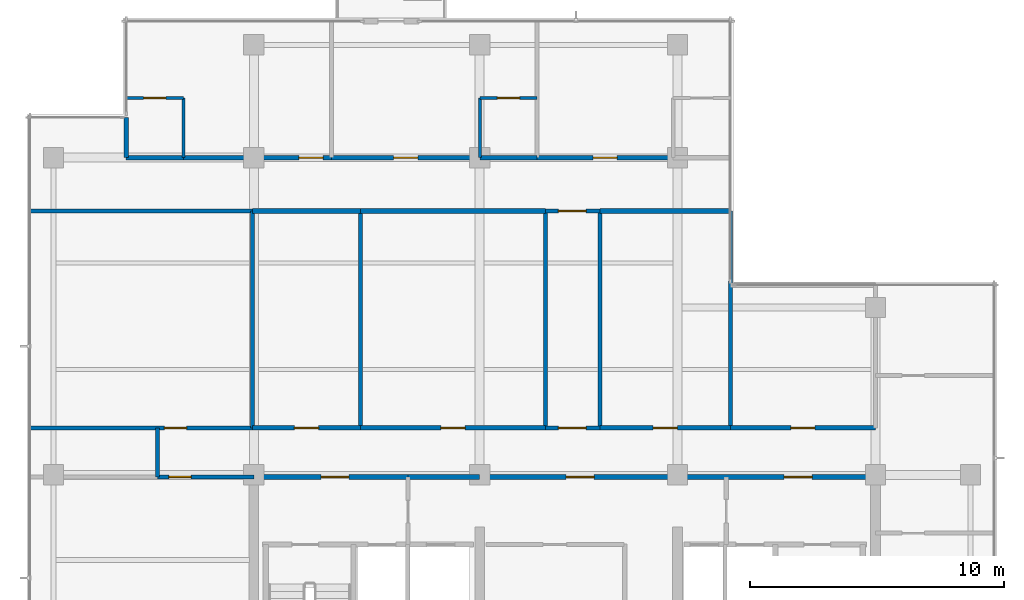
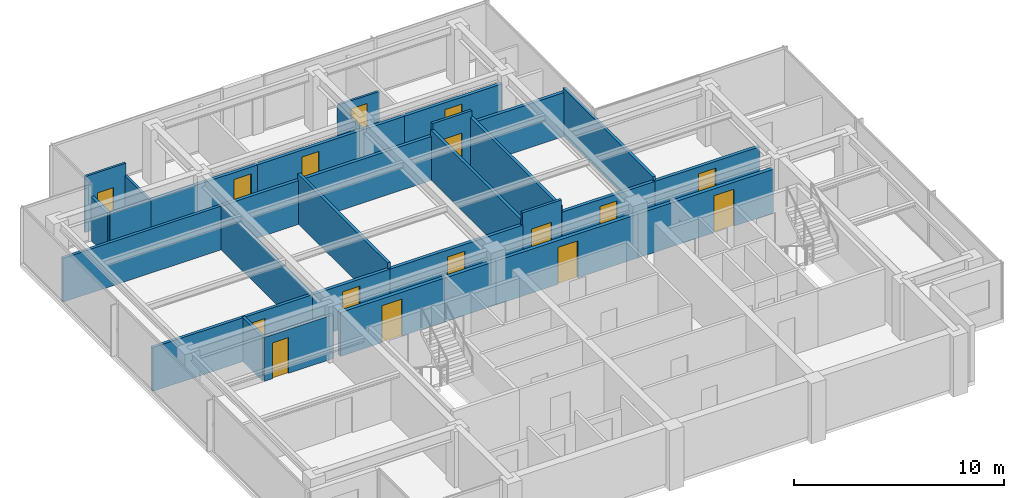
# One storey, part 7 of 11: 32 walls, 16 doors, 16 openings.
"""IFC4 building model written with IfcOpenShell, lengths in metres."""

from ifc_helpers import new_model, si_unit, direction, frame, frame_2d, origin, place, context, subcontext, project, spatial, rectangle, extrude, material, layer, layer_set, type_object, element, fill, save


model = new_model("IFC4")

# Units and contexts
model_context = context("Model", 3, precision=1e-05, world=origin(), true_north=direction((0.0, 1.0)))
body_context = subcontext(model_context, "Body", "Model", "MODEL_VIEW")
ifc_project = project(units=[si_unit("LENGTHUNIT", "METRE"), si_unit("AREAUNIT", "SQUARE_METRE"), si_unit("VOLUMEUNIT", "CUBIC_METRE"), si_unit("PLANEANGLEUNIT", "RADIAN"), si_unit("MASSUNIT", "GRAM", prefix="KILO")], contexts=[model_context])

# Site, building, storey
site_placement = place(None, origin())
site = spatial("IfcSite", under=ifc_project, at=site_placement, CompositionType="ELEMENT")
building_placement = place(site_placement, origin())
building = spatial("IfcBuilding", under=site, at=building_placement, Name="Qalmaran Belvedere Hotel", CompositionType="ELEMENT")
storey_placement = place(building_placement, frame((0.0, 0.0, 245.89990234375)))
storey = spatial("IfcBuildingStorey", under=building, at=storey_placement, Name="L63", CompositionType="ELEMENT", Elevation=245.89990234375)

# Wall, opening, door
ifc_material_1 = material(Name="Moisture-Resistant Gypsum")
ifc_layer_1 = layer(ifc_material_1, 0.1201171875, Name="Moisture-Resistant Gypsum")
ifc_layer_set_1 = layer_set([ifc_layer_1], Name="Moisture-Resistant Gypsum")
wall_type_1 = type_object("IfcWallType", Name="WL-INT-120-BATH", PredefinedType="PARTITIONING", material=ifc_layer_set_1)
wall_1_placement = place(storey_placement, frame((15.27001953125, 35.35009765625, 0.0), z_axis=(0.0, 0.0, 1.0), x_axis=(1.0, 0.0, 0.0)))
wall_1 = element("IfcWall", 1, at=wall_1_placement, inside=storey, type_object=wall_type_1, Name="L63 Partition WL-L63-NBN00", PredefinedType="PARTITIONING", context=body_context, shape_type="SweptSolid", body=[
    extrude(rectangle(XDim=2.25, YDim=0.1201171875, at=frame_2d((1.125, 0.0))), origin(), (0.0, 0.0, 1.0), 3.260009765625),
])
opening_1_placement = place(wall_1_placement, frame((1.56494140625, 0.0, 0.0), z_axis=(0.0, 0.0, 1.0), x_axis=(-1.0, 0.0, 0.0)))
opening_1 = element("IfcOpeningElement", 2, at=opening_1_placement, cuts=wall_1, Name="Opening D-BATH", PredefinedType="OPENING", context=body_context, shape_type="SweptSolid", body=[
    extrude(rectangle(XDim=0.8798828125, YDim=2.080078125, at=frame_2d((0.43994140625, 1.0400390625))), frame((0.0, 0.070068359375, 0.0), z_axis=(0.0, -1.0, 0.0), x_axis=(1.0, 0.0, 0.0)), (0.0, 0.0, 1.0), 0.14013671875),
])
ifc_material_2 = material(Name="Engineered Oak Veneer")
door_type_1 = type_object("IfcDoorType", Name="DR-INT-BATH-880X2080", OperationType="NOTDEFINED", PredefinedType="DOOR", material=ifc_material_2)
door_1_placement = place(opening_1_placement, origin())
door_1 = element("IfcDoor", 3, at=door_1_placement, inside=storey, type_object=door_type_1, Name="L63 Ensuite Bathroom Door N01", OperationType="SINGLE_SWING_RIGHT", OverallHeight=2.080078125, OverallWidth=0.8798828125, PredefinedType="DOOR", context=body_context, shape_type="SweptSolid", body=[
    extrude(rectangle(XDim=0.8798828125, YDim=2.080078125, at=frame_2d((0.43994140625, 1.0400390625))), frame((0.0, 0.02490234375, 0.0), z_axis=(0.0, -1.0, 0.0), x_axis=(1.0, 0.0, 0.0)), (0.0, 0.0, 1.0), 0.050048828125),
])
fill(opening_1, door_1)

# Wall
wall_2_placement = place(storey_placement, frame((17.52001953125, 33.0, 0.0), z_axis=(0.0, 0.0, 1.0), x_axis=(0.0, 1.0, 0.0)))
element("IfcWall", 4, at=wall_2_placement, inside=storey, type_object=wall_type_1, Name="L63 Partition WL-L63-NBS00", PredefinedType="PARTITIONING", context=body_context, shape_type="SweptSolid", body=[
    extrude(rectangle(XDim=2.35009765625, YDim=0.1201171875, at=frame_2d((1.175048828125, 0.0))), origin(), (0.0, 0.0, 1.0), 2.550048828125),
])

# Wall, opening, door
wall_3_placement = place(storey_placement, frame((29.210693359375, 35.35009765625, 0.0), z_axis=(0.0, 0.0, 1.0), x_axis=(1.0, 0.0, 0.0)))
wall_3 = element("IfcWall", 5, at=wall_3_placement, inside=storey, type_object=wall_type_1, Name="L63 Partition WL-L63-NBN01", PredefinedType="PARTITIONING", context=body_context, shape_type="SweptSolid", body=[
    extrude(rectangle(XDim=2.25, YDim=0.1201171875, at=frame_2d((1.125, 0.0))), origin(), (0.0, 0.0, 1.0), 2.550048828125),
])
opening_2_placement = place(wall_3_placement, frame((1.56494140625, 0.0, 0.0), z_axis=(0.0, 0.0, 1.0), x_axis=(-1.0, 0.0, 0.0)))
opening_2 = element("IfcOpeningElement", 6, at=opening_2_placement, cuts=wall_3, Name="Opening D-BATH", PredefinedType="OPENING", context=body_context, shape_type="SweptSolid", body=[
    extrude(rectangle(XDim=0.8798828125, YDim=2.080078125, at=frame_2d((0.43994140625, 1.0400390625))), frame((0.0, 0.070068359375, 0.0), z_axis=(0.0, -1.0, 0.0), x_axis=(1.0, 0.0, 0.0)), (0.0, 0.0, 1.0), 0.14013671875),
])
door_2_placement = place(opening_2_placement, origin())
door_2 = element("IfcDoor", 7, at=door_2_placement, inside=storey, type_object=door_type_1, Name="L63 Ensuite Bathroom Door N02", OperationType="SINGLE_SWING_RIGHT", OverallHeight=2.080078125, OverallWidth=0.8798828125, PredefinedType="DOOR", context=body_context, shape_type="SweptSolid", body=[
    extrude(rectangle(XDim=0.8798828125, YDim=2.080078125, at=frame_2d((0.43994140625, 1.0400390625))), frame((0.0, 0.02490234375, 0.0), z_axis=(0.0, -1.0, 0.0), x_axis=(1.0, 0.0, 0.0)), (0.0, 0.0, 1.0), 0.050048828125),
])
fill(opening_2, door_2)

# Wall
wall_4_placement = place(storey_placement, frame((29.210693359375, 33.0, 0.0), z_axis=(0.0, 0.0, 1.0), x_axis=(0.0, 1.0, 0.0)))
element("IfcWall", 8, at=wall_4_placement, inside=storey, type_object=wall_type_1, Name="L63 Partition WL-L63-NBS01", PredefinedType="PARTITIONING", context=body_context, shape_type="SweptSolid", body=[
    extrude(rectangle(XDim=2.35009765625, YDim=0.1201171875, at=frame_2d((1.175048828125, 0.0))), origin(), (0.0, 0.0, 1.0), 2.550048828125),
])

# Wall, opening, door
ifc_material_3 = material(Name="Gypsum Stud Partition")
ifc_layer_2 = layer(ifc_material_3, 0.14990234375, Name="Gypsum Stud Partition")
ifc_layer_set_2 = layer_set([ifc_layer_2], Name="Gypsum Stud Partition")
wall_type_2 = type_object("IfcWallType", Name="WL-INT-150-EI60", PredefinedType="PARTITIONING", material=ifc_layer_set_2)
wall_5_placement = place(storey_placement, frame((31.800048828125, 22.35009765625, 0.0), z_axis=(0.0, 0.0, 1.0), x_axis=(1.0, 0.0, 0.0)))
wall_5 = element("IfcWall", 9, at=wall_5_placement, inside=storey, type_object=wall_type_2, Name="L63 Partition WL-L63-XCLS", PredefinedType="PARTITIONING", context=body_context, shape_type="SweptSolid", body=[
    extrude(rectangle(XDim=2.14990234375, YDim=0.14990234375, at=frame_2d((1.074951171875, 0.0))), origin(), (0.0, 0.0, 1.0), 3.260009765625),
])
opening_3_placement = place(wall_5_placement, frame((0.5, 0.0, 0.0)))
opening_3 = element("IfcOpeningElement", 10, at=opening_3_placement, cuts=wall_5, Name="Opening FD90", PredefinedType="OPENING", context=body_context, shape_type="SweptSolid", body=[
    extrude(rectangle(XDim=1.10009765625, YDim=2.14990234375, at=frame_2d((0.550048828125, 1.074951171875))), frame((0.0, 0.0849609375, 0.0), z_axis=(0.0, -1.0, 0.0), x_axis=(1.0, 0.0, 0.0)), (0.0, 0.0, 1.0), 0.169921875),
])
ifc_material_4 = material(Name="Steel S355JR", Category="steel")
door_type_2 = type_object("IfcDoorType", Name="DR-FD90-1100X2150", OperationType="NOTDEFINED", PredefinedType="DOOR", material=ifc_material_4)
door_3_placement = place(opening_3_placement, origin())
door_3 = element("IfcDoor", 11, at=door_3_placement, inside=storey, type_object=door_type_2, Name="L63 Sky Link South Door", OperationType="SINGLE_SWING_LEFT", OverallHeight=2.14990234375, OverallWidth=1.10009765625, PredefinedType="DOOR", context=body_context, shape_type="SweptSolid", body=[
    extrude(rectangle(XDim=1.10009765625, YDim=2.14990234375, at=frame_2d((0.550048828125, 1.074951171875))), frame((0.0, 0.02490234375, 0.0), z_axis=(0.0, -1.0, 0.0), x_axis=(1.0, 0.0, 0.0)), (0.0, 0.0, 1.0), 0.050048828125),
])
fill(opening_3, door_3)

wall_6_placement = place(storey_placement, frame((31.800048828125, 30.89990234375, 0.0), z_axis=(0.0, 0.0, 1.0), x_axis=(1.0, 0.0, 0.0)))
wall_6 = element("IfcWall", 12, at=wall_6_placement, inside=storey, type_object=wall_type_2, Name="L63 Partition WL-L63-XCLN", PredefinedType="PARTITIONING", context=body_context, shape_type="SweptSolid", body=[
    extrude(rectangle(XDim=2.14990234375, YDim=0.14990234375, at=frame_2d((1.074951171875, 0.0))), origin(), (0.0, 0.0, 1.0), 3.260009765625),
])
opening_4_placement = place(wall_6_placement, frame((0.5, 0.0, 0.0)))
opening_4 = element("IfcOpeningElement", 13, at=opening_4_placement, cuts=wall_6, Name="Opening FD90", PredefinedType="OPENING", context=body_context, shape_type="SweptSolid", body=[
    extrude(rectangle(XDim=1.10009765625, YDim=2.14990234375, at=frame_2d((0.550048828125, 1.074951171875))), frame((0.0, 0.0849609375, 0.0), z_axis=(0.0, -1.0, 0.0), x_axis=(1.0, 0.0, 0.0)), (0.0, 0.0, 1.0), 0.169921875),
])
door_4_placement = place(opening_4_placement, origin())
door_4 = element("IfcDoor", 14, at=door_4_placement, inside=storey, type_object=door_type_2, Name="L63 Sky Link North Door", OperationType="SINGLE_SWING_RIGHT", OverallHeight=2.14990234375, OverallWidth=1.10009765625, PredefinedType="DOOR", context=body_context, shape_type="SweptSolid", body=[
    extrude(rectangle(XDim=1.10009765625, YDim=2.14990234375, at=frame_2d((0.550048828125, 1.074951171875))), frame((0.0, 0.02490234375, 0.0), z_axis=(0.0, -1.0, 0.0), x_axis=(1.0, 0.0, 0.0)), (0.0, 0.0, 1.0), 0.050048828125),
])
fill(opening_4, door_4)

ifc_layer_3 = layer(ifc_material_3, 0.159912109375, Name="Gypsum Stud Partition")
ifc_layer_set_3 = layer_set([ifc_layer_3], Name="Gypsum Stud Partition")
wall_type_3 = type_object("IfcWallType", Name="WL-INT-160-EI60", PredefinedType="PARTITIONING", material=ifc_layer_set_3)
wall_7_placement = place(storey_placement, frame((16.5, 20.419921875, 0.0), z_axis=(0.0, 0.0, 1.0), x_axis=(1.0, 0.0, 0.0)))
wall_7 = element("IfcWall", 15, at=wall_7_placement, inside=storey, type_object=wall_type_3, Name="L63 Partition WL-L63-C4WS2", PredefinedType="PARTITIONING", context=body_context, shape_type="SweptSolid", body=[
    extrude(rectangle(XDim=3.800048828125, YDim=0.159912109375, at=frame_2d((1.89990234375, 0.0))), origin(), (0.0, 0.0, 1.0), 2.550048828125),
])
opening_5_placement = place(wall_7_placement, frame((1.329833984375, 0.0, 0.0), z_axis=(0.0, 0.0, 1.0), x_axis=(-1.0, 0.0, 0.0)))
opening_5 = element("IfcOpeningElement", 16, at=opening_5_placement, cuts=wall_7, Name="Opening FD60B", PredefinedType="OPENING", context=body_context, shape_type="SweptSolid", body=[
    extrude(rectangle(XDim=0.8798828125, YDim=2.080078125, at=frame_2d((0.43994140625, 1.0400390625))), frame((0.0, 0.08984375, 0.0), z_axis=(0.0, -1.0, 0.0), x_axis=(1.0, 0.0, 0.0)), (0.0, 0.0, 1.0), 0.179931640625),
])
door_type_3 = type_object("IfcDoorType", Name="DR-FD60B-880X2080", OperationType="NOTDEFINED", PredefinedType="DOOR", material=ifc_material_4)
door_5_placement = place(opening_5_placement, origin())
door_5 = element("IfcDoor", 17, at=door_5_placement, inside=storey, type_object=door_type_3, Name="L63 West Salon Door", OperationType="SINGLE_SWING_RIGHT", OverallHeight=2.080078125, OverallWidth=0.8798828125, PredefinedType="DOOR", context=body_context, shape_type="SweptSolid", body=[
    extrude(rectangle(XDim=0.8798828125, YDim=2.080078125, at=frame_2d((0.43994140625, 1.0400390625))), frame((0.0, 0.02490234375, 0.0), z_axis=(0.0, -1.0, 0.0), x_axis=(1.0, 0.0, 0.0)), (0.0, 0.0, 1.0), 0.050048828125),
])
fill(opening_5, door_5)

# Wall
wall_8_placement = place(storey_placement, frame((16.5, 20.419921875, 0.0), z_axis=(0.0, 0.0, 1.0), x_axis=(0.0, 1.0, 0.0)))
element("IfcWall", 18, at=wall_8_placement, inside=storey, type_object=wall_type_3, Name="L63 Partition WL-L63-C4WW", PredefinedType="PARTITIONING", context=body_context, shape_type="SweptSolid", body=[
    extrude(rectangle(XDim=1.93017578125, YDim=0.159912109375, at=frame_2d((0.965087890625, 0.0))), origin(), (0.0, 0.0, 1.0), 2.550048828125),
])

# Wall, opening, door
wall_9_placement = place(storey_placement, frame((11.469970703125, 22.35009765625, 0.0), z_axis=(0.0, 0.0, 1.0), x_axis=(1.0, 0.0, 0.0)))
wall_9 = element("IfcWall", 19, at=wall_9_placement, inside=storey, type_object=wall_type_3, Name="L63 Partition WL-L63-C4WN0", PredefinedType="PARTITIONING", context=body_context, shape_type="SweptSolid", body=[
    extrude(rectangle(XDim=8.780029296875, YDim=0.159912109375, at=frame_2d((4.39013671875, 0.0))), origin(), (0.0, 0.0, 1.0), 2.550048828125),
])
opening_6_placement = place(wall_9_placement, frame((5.300048828125, 0.0, 0.0)))
opening_6 = element("IfcOpeningElement", 20, at=opening_6_placement, cuts=wall_9, Name="Opening FD60B", PredefinedType="OPENING", context=body_context, shape_type="SweptSolid", body=[
    extrude(rectangle(XDim=0.8798828125, YDim=2.080078125, at=frame_2d((0.43994140625, 1.0400390625))), frame((0.0, 0.08984375, 0.0), z_axis=(0.0, -1.0, 0.0), x_axis=(1.0, 0.0, 0.0)), (0.0, 0.0, 1.0), 0.179931640625),
])
door_6_placement = place(opening_6_placement, origin())
door_6 = element("IfcDoor", 21, at=door_6_placement, inside=storey, type_object=door_type_3, Name="L63 NW Salon Door", OperationType="SINGLE_SWING_LEFT", OverallHeight=2.080078125, OverallWidth=0.8798828125, PredefinedType="DOOR", context=body_context, shape_type="SweptSolid", body=[
    extrude(rectangle(XDim=0.8798828125, YDim=2.080078125, at=frame_2d((0.43994140625, 1.0400390625))), frame((0.0, 0.02490234375, 0.0), z_axis=(0.0, -1.0, 0.0), x_axis=(1.0, 0.0, 0.0)), (0.0, 0.0, 1.0), 0.050048828125),
])
fill(opening_6, door_6)

# Walls
wall_10_placement = place(storey_placement, frame((11.469970703125, 30.89990234375, 0.0), z_axis=(0.0, 0.0, 1.0), x_axis=(1.0, 0.0, 0.0)))
element("IfcWall", 22, at=wall_10_placement, inside=storey, type_object=wall_type_3, Name="L63 Partition WL-L63-C4WN1", PredefinedType="PARTITIONING", context=body_context, shape_type="SweptSolid", body=[
    extrude(rectangle(XDim=8.780029296875, YDim=0.159912109375, at=frame_2d((4.39013671875, 0.0))), origin(), (0.0, 0.0, 1.0), 2.550048828125),
])
wall_11_placement = place(storey_placement, frame((20.25, 22.35009765625, 0.0), z_axis=(0.0, 0.0, 1.0), x_axis=(0.0, 1.0, 0.0)))
element("IfcWall", 23, at=wall_11_placement, inside=storey, type_object=wall_type_3, Name="L63 Partition WL-L63-C4MWVL", PredefinedType="PARTITIONING", context=body_context, shape_type="SweptSolid", body=[
    extrude(rectangle(XDim=8.5498046875, YDim=0.159912109375, at=frame_2d((4.27490234375, 0.0))), origin(), (0.0, 0.0, 1.0), 2.550048828125),
])
for number, where, z_axis, x_axis, name in (
    (24, (24.5, 22.35009765625, 0.0), (0.0, 0.0, 1.0), (0.0, 1.0, 0.0), "L63 Partition WL-L63-C4MWVR1"),
    (25, (31.800048828125, 22.35009765625, 0.0), (0.0, 0.0, 1.0), (0.0, 1.0, 0.0), "L63 Partition WL-L63-C4MWVR2"),
    (26, (33.949951171875, 22.35009765625, 0.0), (0.0, 0.0, 1.0), (0.0, 1.0, 0.0), "L63 Partition WL-L63-C4MEVL"),
):
    element("IfcWall", number, at=place(storey_placement, frame(where, z_axis=z_axis, x_axis=x_axis)), inside=storey, type_object=wall_type_3, Name=name, PredefinedType="PARTITIONING", context=body_context, shape_type="SweptSolid", body=[
        extrude(rectangle(XDim=8.5498046875, YDim=0.159912109375, at=frame_2d((4.27490234375, 0.0))), origin(), (0.0, 0.0, 1.0), 2.88720703125),
    ])
wall_12_placement = place(storey_placement, frame((39.080078125, 22.35009765625, 0.0), z_axis=(0.0, 0.0, 1.0), x_axis=(0.0, 1.0, 0.0)))
element("IfcWall", 27, at=wall_12_placement, inside=storey, type_object=wall_type_3, Name="L63 Partition WL-L63-C4MEVR1", PredefinedType="PARTITIONING", context=body_context, shape_type="SweptSolid", body=[
    extrude(rectangle(XDim=8.5498046875, YDim=0.159912109375, at=frame_2d((4.27490234375, 0.0))), origin(), (0.0, 0.0, 1.0), 2.781982421875),
])
wall_13_placement = place(storey_placement, frame((15.27001953125, 33.0, 0.0), z_axis=(0.0, 0.0, 1.0), x_axis=(0.0, 1.0, 0.0)))
element("IfcWall", 28, at=wall_13_placement, inside=storey, type_object=wall_type_3, Name="L63 Partition WL-L63-NUL", PredefinedType="PARTITIONING", context=body_context, shape_type="SweptSolid", body=[
    extrude(rectangle(XDim=1.580078125, YDim=0.159912109375, at=frame_2d((0.7900390625, 0.0))), origin(), (0.0, 0.0, 1.0), 2.550048828125),
])

# Wall, opening, door
ifc_layer_4 = layer(ifc_material_3, 0.179931640625, Name="Gypsum Stud Partition")
ifc_layer_set_4 = layer_set([ifc_layer_4], Name="Gypsum Stud Partition")
wall_type_4 = type_object("IfcWallType", Name="WL-INT-180-EI60", PredefinedType="PARTITIONING", material=ifc_layer_set_4)
wall_14_placement = place(storey_placement, frame((20.25, 22.35009765625, 0.0), z_axis=(0.0, 0.0, 1.0), x_axis=(1.0, 0.0, 0.0)))
wall_14 = element("IfcWall", 29, at=wall_14_placement, inside=storey, type_object=wall_type_4, Name="L63 Partition WL-L63-C4MWD1", PredefinedType="PARTITIONING", context=body_context, shape_type="SweptSolid", body=[
    extrude(rectangle(XDim=4.25, YDim=0.179931640625, at=frame_2d((2.125, 0.0))), origin(), (0.0, 0.0, 1.0), 2.550048828125),
])
opening_7_placement = place(wall_14_placement, frame((1.64990234375, 0.0, 0.0)))
opening_7 = element("IfcOpeningElement", 30, at=opening_7_placement, cuts=wall_14, Name="Opening FD60", PredefinedType="OPENING", context=body_context, shape_type="SweptSolid", body=[
    extrude(rectangle(XDim=0.949951171875, YDim=2.14990234375, at=frame_2d((0.47509765625, 1.074951171875))), frame((0.0, 0.10009765625, 0.0), z_axis=(0.0, -1.0, 0.0), x_axis=(1.0, 0.0, 0.0)), (0.0, 0.0, 1.0), 0.199951171875),
])
door_type_4 = type_object("IfcDoorType", Name="DR-FD60-950X2150", OperationType="NOTDEFINED", PredefinedType="DOOR", material=ifc_material_2)
door_7_placement = place(opening_7_placement, origin())
door_7 = element("IfcDoor", 31, at=door_7_placement, inside=storey, type_object=door_type_4, Name="L63 Housekeeping and Linen Room Door", OperationType="SINGLE_SWING_RIGHT", OverallHeight=2.14990234375, OverallWidth=0.949951171875, PredefinedType="DOOR", context=body_context, shape_type="SweptSolid", body=[
    extrude(rectangle(XDim=0.949951171875, YDim=2.14990234375, at=frame_2d((0.47509765625, 1.074951171875))), frame((0.0, 0.02490234375, 0.0), z_axis=(0.0, -1.0, 0.0), x_axis=(1.0, 0.0, 0.0)), (0.0, 0.0, 1.0), 0.050048828125),
])
fill(opening_7, door_7)

# Wall
wall_15_placement = place(storey_placement, frame((20.25, 30.89990234375, 0.0), z_axis=(0.0, 0.0, 1.0), x_axis=(1.0, 0.0, 0.0)))
element("IfcWall", 32, at=wall_15_placement, inside=storey, type_object=wall_type_4, Name="L63 Partition WL-L63-C4MWO1", PredefinedType="PARTITIONING", context=body_context, shape_type="SweptSolid", body=[
    extrude(rectangle(XDim=4.25, YDim=0.179931640625, at=frame_2d((2.125, 0.0))), origin(), (0.0, 0.0, 1.0), 2.550048828125),
])

# Wall, opening, door
wall_16_placement = place(storey_placement, frame((24.5, 22.35009765625, 0.0), z_axis=(0.0, 0.0, 1.0), x_axis=(1.0, 0.0, 0.0)))
wall_16 = element("IfcWall", 33, at=wall_16_placement, inside=storey, type_object=wall_type_4, Name="L63 Partition WL-L63-C4MWD2", PredefinedType="PARTITIONING", context=body_context, shape_type="SweptSolid", body=[
    extrude(rectangle(XDim=7.300048828125, YDim=0.179931640625, at=frame_2d((3.64990234375, 0.0))), origin(), (0.0, 0.0, 1.0), 2.550048828125),
])
opening_8_placement = place(wall_16_placement, frame((3.175048828125, 0.0, 0.0)))
opening_8 = element("IfcOpeningElement", 34, at=opening_8_placement, cuts=wall_16, Name="Opening FD60", PredefinedType="OPENING", context=body_context, shape_type="SweptSolid", body=[
    extrude(rectangle(XDim=0.949951171875, YDim=2.14990234375, at=frame_2d((0.47509765625, 1.074951171875))), frame((0.0, 0.10009765625, 0.0), z_axis=(0.0, -1.0, 0.0), x_axis=(1.0, 0.0, 0.0)), (0.0, 0.0, 1.0), 0.199951171875),
])
door_8_placement = place(opening_8_placement, origin())
door_8 = element("IfcDoor", 35, at=door_8_placement, inside=storey, type_object=door_type_4, Name="L63 Yoga Spa Door", OperationType="SINGLE_SWING_LEFT", OverallHeight=2.14990234375, OverallWidth=0.949951171875, PredefinedType="DOOR", context=body_context, shape_type="SweptSolid", body=[
    extrude(rectangle(XDim=0.949951171875, YDim=2.14990234375, at=frame_2d((0.47509765625, 1.074951171875))), frame((0.0, 0.02490234375, 0.0), z_axis=(0.0, -1.0, 0.0), x_axis=(1.0, 0.0, 0.0)), (0.0, 0.0, 1.0), 0.050048828125),
])
fill(opening_8, door_8)

# Wall
wall_17_placement = place(storey_placement, frame((24.5, 30.89990234375, 0.0), z_axis=(0.0, 0.0, 1.0), x_axis=(1.0, 0.0, 0.0)))
element("IfcWall", 36, at=wall_17_placement, inside=storey, type_object=wall_type_4, Name="L63 Partition WL-L63-C4MWO2", PredefinedType="PARTITIONING", context=body_context, shape_type="SweptSolid", body=[
    extrude(rectangle(XDim=7.300048828125, YDim=0.179931640625, at=frame_2d((3.64990234375, 0.0))), origin(), (0.0, 0.0, 1.0), 2.550048828125),
])

# Wall, opening, door
wall_18_placement = place(storey_placement, frame((33.949951171875, 22.35009765625, 0.0), z_axis=(0.0, 0.0, 1.0), x_axis=(1.0, 0.0, 0.0)))
wall_18 = element("IfcWall", 37, at=wall_18_placement, inside=storey, type_object=wall_type_4, Name="L63 Partition WL-L63-C4MED1", PredefinedType="PARTITIONING", context=body_context, shape_type="SweptSolid", body=[
    extrude(rectangle(XDim=5.130126953125, YDim=0.179931640625, at=frame_2d((2.56494140625, 0.0))), origin(), (0.0, 0.0, 1.0), 2.550048828125),
])
opening_9_placement = place(wall_18_placement, frame((2.090087890625, 0.0, 0.0)))
opening_9 = element("IfcOpeningElement", 38, at=opening_9_placement, cuts=wall_18, Name="Opening FD60", PredefinedType="OPENING", context=body_context, shape_type="SweptSolid", body=[
    extrude(rectangle(XDim=0.949951171875, YDim=2.14990234375, at=frame_2d((0.47509765625, 1.074951171875))), frame((0.0, 0.10009765625, 0.0), z_axis=(0.0, -1.0, 0.0), x_axis=(1.0, 0.0, 0.0)), (0.0, 0.0, 1.0), 0.199951171875),
])
door_9_placement = place(opening_9_placement, origin())
door_9 = element("IfcDoor", 39, at=door_9_placement, inside=storey, type_object=door_type_4, Name="L63 Pilates Spa Door", OperationType="SINGLE_SWING_RIGHT", OverallHeight=2.14990234375, OverallWidth=0.949951171875, PredefinedType="DOOR", context=body_context, shape_type="SweptSolid", body=[
    extrude(rectangle(XDim=0.949951171875, YDim=2.14990234375, at=frame_2d((0.47509765625, 1.074951171875))), frame((0.0, 0.02490234375, 0.0), z_axis=(0.0, -1.0, 0.0), x_axis=(1.0, 0.0, 0.0)), (0.0, 0.0, 1.0), 0.050048828125),
])
fill(opening_9, door_9)

# Wall
wall_19_placement = place(storey_placement, frame((33.949951171875, 30.89990234375, 0.0), z_axis=(0.0, 0.0, 1.0), x_axis=(1.0, 0.0, 0.0)))
element("IfcWall", 40, at=wall_19_placement, inside=storey, type_object=wall_type_4, Name="L63 Partition WL-L63-C4MEO1", PredefinedType="PARTITIONING", context=body_context, shape_type="SweptSolid", body=[
    extrude(rectangle(XDim=5.130126953125, YDim=0.179931640625, at=frame_2d((2.56494140625, 0.0))), origin(), (0.0, 0.0, 1.0), 2.550048828125),
])

# Wall, opening, door
wall_20_placement = place(storey_placement, frame((39.080078125, 22.35009765625, 0.0), z_axis=(0.0, 0.0, 1.0), x_axis=(1.0, 0.0, 0.0)))
wall_20 = element("IfcWall", 41, at=wall_20_placement, inside=storey, type_object=wall_type_4, Name="L63 Partition WL-L63-C4MFD1", PredefinedType="PARTITIONING", context=body_context, shape_type="SweptSolid", body=[
    extrude(rectangle(XDim=5.719970703125, YDim=0.179931640625, at=frame_2d((2.85986328125, 0.0))), origin(), (0.0, 0.0, 1.0), 2.550048828125),
])
opening_10_placement = place(wall_20_placement, frame((2.385009765625, 0.0, 0.0)))
opening_10 = element("IfcOpeningElement", 42, at=opening_10_placement, cuts=wall_20, Name="Opening FD60", PredefinedType="OPENING", context=body_context, shape_type="SweptSolid", body=[
    extrude(rectangle(XDim=0.949951171875, YDim=2.14990234375, at=frame_2d((0.47509765625, 1.074951171875))), frame((0.0, 0.10009765625, 0.0), z_axis=(0.0, -1.0, 0.0), x_axis=(1.0, 0.0, 0.0)), (0.0, 0.0, 1.0), 0.199951171875),
])
door_10_placement = place(opening_10_placement, origin())
door_10 = element("IfcDoor", 43, at=door_10_placement, inside=storey, type_object=door_type_4, Name="L63 Thermal Spa Door", OperationType="SINGLE_SWING_LEFT", OverallHeight=2.14990234375, OverallWidth=0.949951171875, PredefinedType="DOOR", context=body_context, shape_type="SweptSolid", body=[
    extrude(rectangle(XDim=0.949951171875, YDim=2.14990234375, at=frame_2d((0.47509765625, 1.074951171875))), frame((0.0, 0.02490234375, 0.0), z_axis=(0.0, -1.0, 0.0), x_axis=(1.0, 0.0, 0.0)), (0.0, 0.0, 1.0), 0.050048828125),
])
fill(opening_10, door_10)

# Wall
wall_21_placement = place(storey_placement, frame((15.27001953125, 33.0, 0.0), z_axis=(0.0, 0.0, 1.0), x_axis=(1.0, 0.0, 0.0)))
element("IfcWall", 44, at=wall_21_placement, inside=storey, type_object=wall_type_4, Name="L63 Partition WL-L63-NBC00", PredefinedType="PARTITIONING", context=body_context, shape_type="SweptSolid", body=[
    extrude(rectangle(XDim=2.25, YDim=0.179931640625, at=frame_2d((1.125, 0.0))), origin(), (0.0, 0.0, 1.0), 2.550048828125),
])

# Wall, opening, door
wall_22_placement = place(storey_placement, frame((17.52001953125, 33.0, 0.0), z_axis=(0.0, 0.0, 1.0), x_axis=(1.0, 0.0, 0.0)))
wall_22 = element("IfcWall", 45, at=wall_22_placement, inside=storey, type_object=wall_type_4, Name="L63 Partition WL-L63-NEC00", PredefinedType="PARTITIONING", context=body_context, shape_type="SweptSolid", body=[
    extrude(rectangle(XDim=5.845458984375, YDim=0.179931640625, at=frame_2d((2.9228515625, 0.0))), origin(), (0.0, 0.0, 1.0), 2.550048828125),
])
opening_11_placement = place(wall_22_placement, frame((4.55810546875, 0.0, 0.0)))
opening_11 = element("IfcOpeningElement", 46, at=opening_11_placement, cuts=wall_22, Name="Opening FD60", PredefinedType="OPENING", context=body_context, shape_type="SweptSolid", body=[
    extrude(rectangle(XDim=0.949951171875, YDim=2.14990234375, at=frame_2d((0.47509765625, 1.074951171875))), frame((0.0, 0.10009765625, 0.0), z_axis=(0.0, -1.0, 0.0), x_axis=(1.0, 0.0, 0.0)), (0.0, 0.0, 1.0), 0.199951171875),
])
door_11_placement = place(opening_11_placement, origin())
door_11 = element("IfcDoor", 47, at=door_11_placement, inside=storey, type_object=door_type_4, Name="L63 Guest Entrance Door N01", OperationType="SINGLE_SWING_LEFT", OverallHeight=2.14990234375, OverallWidth=0.949951171875, PredefinedType="DOOR", context=body_context, shape_type="SweptSolid", body=[
    extrude(rectangle(XDim=0.949951171875, YDim=2.14990234375, at=frame_2d((0.47509765625, 1.074951171875))), frame((0.0, 0.02490234375, 0.0), z_axis=(0.0, -1.0, 0.0), x_axis=(1.0, 0.0, 0.0)), (0.0, 0.0, 1.0), 0.050048828125),
])
fill(opening_11, door_11)

# Wall
wall_23_placement = place(storey_placement, frame((29.210693359375, 33.0, 0.0), z_axis=(0.0, 0.0, 1.0), x_axis=(1.0, 0.0, 0.0)))
element("IfcWall", 48, at=wall_23_placement, inside=storey, type_object=wall_type_4, Name="L63 Partition WL-L63-NBC01", PredefinedType="PARTITIONING", context=body_context, shape_type="SweptSolid", body=[
    extrude(rectangle(XDim=2.25, YDim=0.179931640625, at=frame_2d((1.125, 0.0))), origin(), (0.0, 0.0, 1.0), 2.550048828125),
])

# Wall, opening, door
wall_24_placement = place(storey_placement, frame((23.365478515625, 33.0, 0.0), z_axis=(0.0, 0.0, 1.0), x_axis=(1.0, 0.0, 0.0)))
wall_24 = element("IfcWall", 49, at=wall_24_placement, inside=storey, type_object=wall_type_4, Name="L63 Partition WL-L63-NEC01", PredefinedType="PARTITIONING", context=body_context, shape_type="SweptSolid", body=[
    extrude(rectangle(XDim=5.84521484375, YDim=0.179931640625, at=frame_2d((2.922607421875, 0.0))), origin(), (0.0, 0.0, 1.0), 2.550048828125),
])
opening_12_placement = place(wall_24_placement, frame((2.44775390625, 0.0, 0.0)))
opening_12 = element("IfcOpeningElement", 50, at=opening_12_placement, cuts=wall_24, Name="Opening FD60", PredefinedType="OPENING", context=body_context, shape_type="SweptSolid", body=[
    extrude(rectangle(XDim=0.949951171875, YDim=2.14990234375, at=frame_2d((0.47509765625, 1.074951171875))), frame((0.0, 0.10009765625, 0.0), z_axis=(0.0, -1.0, 0.0), x_axis=(1.0, 0.0, 0.0)), (0.0, 0.0, 1.0), 0.199951171875),
])
door_12_placement = place(opening_12_placement, origin())
door_12 = element("IfcDoor", 51, at=door_12_placement, inside=storey, type_object=door_type_4, Name="L63 Guest Entrance Door N02", OperationType="SINGLE_SWING_LEFT", OverallHeight=2.14990234375, OverallWidth=0.949951171875, PredefinedType="DOOR", context=body_context, shape_type="SweptSolid", body=[
    extrude(rectangle(XDim=0.949951171875, YDim=2.14990234375, at=frame_2d((0.47509765625, 1.074951171875))), frame((0.0, 0.02490234375, 0.0), z_axis=(0.0, -1.0, 0.0), x_axis=(1.0, 0.0, 0.0)), (0.0, 0.0, 1.0), 0.050048828125),
])
fill(opening_12, door_12)

wall_25_placement = place(storey_placement, frame((31.460693359375, 33.0, 0.0), z_axis=(0.0, 0.0, 1.0), x_axis=(1.0, 0.0, 0.0)))
wall_25 = element("IfcWall", 52, at=wall_25_placement, inside=storey, type_object=wall_type_4, Name="L63 Partition WL-L63-NEC02", PredefinedType="PARTITIONING", context=body_context, shape_type="SweptSolid", body=[
    extrude(rectangle(XDim=5.369384765625, YDim=0.179931640625, at=frame_2d((2.6845703125, 0.0))), origin(), (0.0, 0.0, 1.0), 2.550048828125),
])
opening_13_placement = place(wall_25_placement, frame((2.209716796875, 0.0, 0.0)))
opening_13 = element("IfcOpeningElement", 53, at=opening_13_placement, cuts=wall_25, Name="Opening FD60", PredefinedType="OPENING", context=body_context, shape_type="SweptSolid", body=[
    extrude(rectangle(XDim=0.949951171875, YDim=2.14990234375, at=frame_2d((0.47509765625, 1.074951171875))), frame((0.0, 0.10009765625, 0.0), z_axis=(0.0, -1.0, 0.0), x_axis=(1.0, 0.0, 0.0)), (0.0, 0.0, 1.0), 0.199951171875),
])
door_13_placement = place(opening_13_placement, origin())
door_13 = element("IfcDoor", 54, at=door_13_placement, inside=storey, type_object=door_type_4, Name="L63 Guest Entrance Door N03", OperationType="SINGLE_SWING_LEFT", OverallHeight=2.14990234375, OverallWidth=0.949951171875, PredefinedType="DOOR", context=body_context, shape_type="SweptSolid", body=[
    extrude(rectangle(XDim=0.949951171875, YDim=2.14990234375, at=frame_2d((0.47509765625, 1.074951171875))), frame((0.0, 0.02490234375, 0.0), z_axis=(0.0, -1.0, 0.0), x_axis=(1.0, 0.0, 0.0)), (0.0, 0.0, 1.0), 0.050048828125),
])
fill(opening_13, door_13)

ifc_material_5 = material(Name="Concrete C30/37 Blockwork", Category="masonry")
ifc_layer_5 = layer(ifc_material_5, 0.199951171875, Name="Concrete C30/37 Blockwork")
ifc_layer_set_5 = layer_set([ifc_layer_5], Name="Concrete C30/37 Blockwork")
wall_type_5 = type_object("IfcWallType", Name="WL-INT-200-EI120", PredefinedType="PARTITIONING", material=ifc_layer_set_5)
wall_26_placement = place(storey_placement, frame((20.64990234375, 20.419921875, 0.0), z_axis=(0.0, 0.0, 1.0), x_axis=(1.0, 0.0, 0.0)))
wall_26 = element("IfcWall", 55, at=wall_26_placement, inside=storey, type_object=wall_type_5, Name="L63 Partition WL-CN1A-L63", PredefinedType="PARTITIONING", context=body_context, shape_type="SweptSolid", body=[
    extrude(rectangle(XDim=5.72998046875, YDim=0.199951171875, at=frame_2d((2.864990234375, 0.0))), origin(), (0.0, 0.0, 1.0), 2.550048828125),
])
opening_14_placement = place(wall_26_placement, frame((2.300048828125, 0.0, 0.0)))
opening_14 = element("IfcOpeningElement", 56, at=opening_14_placement, cuts=wall_26, Name="Opening FD90", PredefinedType="OPENING", context=body_context, shape_type="SweptSolid", body=[
    extrude(rectangle(XDim=1.10009765625, YDim=2.14990234375, at=frame_2d((0.550048828125, 1.074951171875))), frame((0.0, 0.10986328125, 0.0), z_axis=(0.0, -1.0, 0.0), x_axis=(1.0, 0.0, 0.0)), (0.0, 0.0, 1.0), 0.219970703125),
])
door_14_placement = place(opening_14_placement, origin())
door_14 = element("IfcDoor", 57, at=door_14_placement, inside=storey, type_object=door_type_2, Name="L63 FF1 Lobby Corridor Door", OperationType="SINGLE_SWING_LEFT", OverallHeight=2.14990234375, OverallWidth=1.10009765625, PredefinedType="DOOR", context=body_context, shape_type="SweptSolid", body=[
    extrude(rectangle(XDim=1.10009765625, YDim=2.14990234375, at=frame_2d((0.550048828125, 1.074951171875))), frame((0.0, 0.02490234375, 0.0), z_axis=(0.0, -1.0, 0.0), x_axis=(1.0, 0.0, 0.0)), (0.0, 0.0, 1.0), 0.050048828125),
])
fill(opening_14, door_14)

# Wall
wall_27_placement = place(storey_placement, frame((26.3798828125, 20.419921875, 0.0), z_axis=(0.0, 0.0, 1.0), x_axis=(1.0, 0.0, 0.0)))
element("IfcWall", 58, at=wall_27_placement, inside=storey, type_object=wall_type_5, Name="L63 Partition WL-CN1B-L63", PredefinedType="PARTITIONING", context=body_context, shape_type="SweptSolid", body=[
    extrude(rectangle(XDim=2.820068359375, YDim=0.199951171875, at=frame_2d((1.41015625, 0.0))), origin(), (0.0, 0.0, 1.0), 2.550048828125),
])

# Wall, opening, door
wall_28_placement = place(storey_placement, frame((29.199951171875, 20.419921875, 0.0), z_axis=(0.0, 0.0, 1.0), x_axis=(1.0, 0.0, 0.0)))
wall_28 = element("IfcWall", 59, at=wall_28_placement, inside=storey, type_object=wall_type_5, Name="L63 Partition WL-CN2-L63", PredefinedType="PARTITIONING", context=body_context, shape_type="SweptSolid", body=[
    extrude(rectangle(XDim=7.800048828125, YDim=0.199951171875, at=frame_2d((3.89990234375, 0.0))), origin(), (0.0, 0.0, 1.0), 2.550048828125),
])
opening_15_placement = place(wall_28_placement, frame((3.4091796875, 0.0, 0.0)))
opening_15 = element("IfcOpeningElement", 60, at=opening_15_placement, cuts=wall_28, Name="Opening FD90", PredefinedType="OPENING", context=body_context, shape_type="SweptSolid", body=[
    extrude(rectangle(XDim=1.10009765625, YDim=2.14990234375, at=frame_2d((0.550048828125, 1.074951171875))), frame((0.0, 0.10986328125, 0.0), z_axis=(0.0, -1.0, 0.0), x_axis=(1.0, 0.0, 0.0)), (0.0, 0.0, 1.0), 0.219970703125),
])
door_15_placement = place(opening_15_placement, origin())
door_15 = element("IfcDoor", 61, at=door_15_placement, inside=storey, type_object=door_type_2, Name="L63 Central Lift Lobby Door", OperationType="SINGLE_SWING_RIGHT", OverallHeight=2.14990234375, OverallWidth=1.10009765625, PredefinedType="DOOR", context=body_context, shape_type="SweptSolid", body=[
    extrude(rectangle(XDim=1.10009765625, YDim=2.14990234375, at=frame_2d((0.550048828125, 1.074951171875))), frame((0.0, 0.02490234375, 0.0), z_axis=(0.0, -1.0, 0.0), x_axis=(1.0, 0.0, 0.0)), (0.0, 0.0, 1.0), 0.050048828125),
])
fill(opening_15, door_15)

wall_29_placement = place(storey_placement, frame((37.0, 20.419921875, 0.0), z_axis=(0.0, 0.0, 1.0), x_axis=(1.0, 0.0, 0.0)))
wall_29 = element("IfcWall", 62, at=wall_29_placement, inside=storey, type_object=wall_type_5, Name="L63 Partition WL-CN3-L63", PredefinedType="PARTITIONING", context=body_context, shape_type="SweptSolid", body=[
    extrude(rectangle(XDim=7.449951171875, YDim=0.199951171875, at=frame_2d((3.72509765625, 0.0))), origin(), (0.0, 0.0, 1.0), 2.550048828125),
])
opening_16_placement = place(wall_29_placement, frame((4.199951171875, 0.0, 0.0)))
opening_16 = element("IfcOpeningElement", 63, at=opening_16_placement, cuts=wall_29, Name="Opening FD90", PredefinedType="OPENING", context=body_context, shape_type="SweptSolid", body=[
    extrude(rectangle(XDim=1.10009765625, YDim=2.14990234375, at=frame_2d((0.550048828125, 1.074951171875))), frame((0.0, 0.10986328125, 0.0), z_axis=(0.0, -1.0, 0.0), x_axis=(1.0, 0.0, 0.0)), (0.0, 0.0, 1.0), 0.219970703125),
])
door_16_placement = place(opening_16_placement, origin())
door_16 = element("IfcDoor", 64, at=door_16_placement, inside=storey, type_object=door_type_2, Name="L63 FF2 Lobby Corridor Door", OperationType="SINGLE_SWING_LEFT", OverallHeight=2.14990234375, OverallWidth=1.10009765625, PredefinedType="DOOR", context=body_context, shape_type="SweptSolid", body=[
    extrude(rectangle(XDim=1.10009765625, YDim=2.14990234375, at=frame_2d((0.550048828125, 1.074951171875))), frame((0.0, 0.02490234375, 0.0), z_axis=(0.0, -1.0, 0.0), x_axis=(1.0, 0.0, 0.0)), (0.0, 0.0, 1.0), 0.050048828125),
])
fill(opening_16, door_16)

save(model, "model.ifc")
